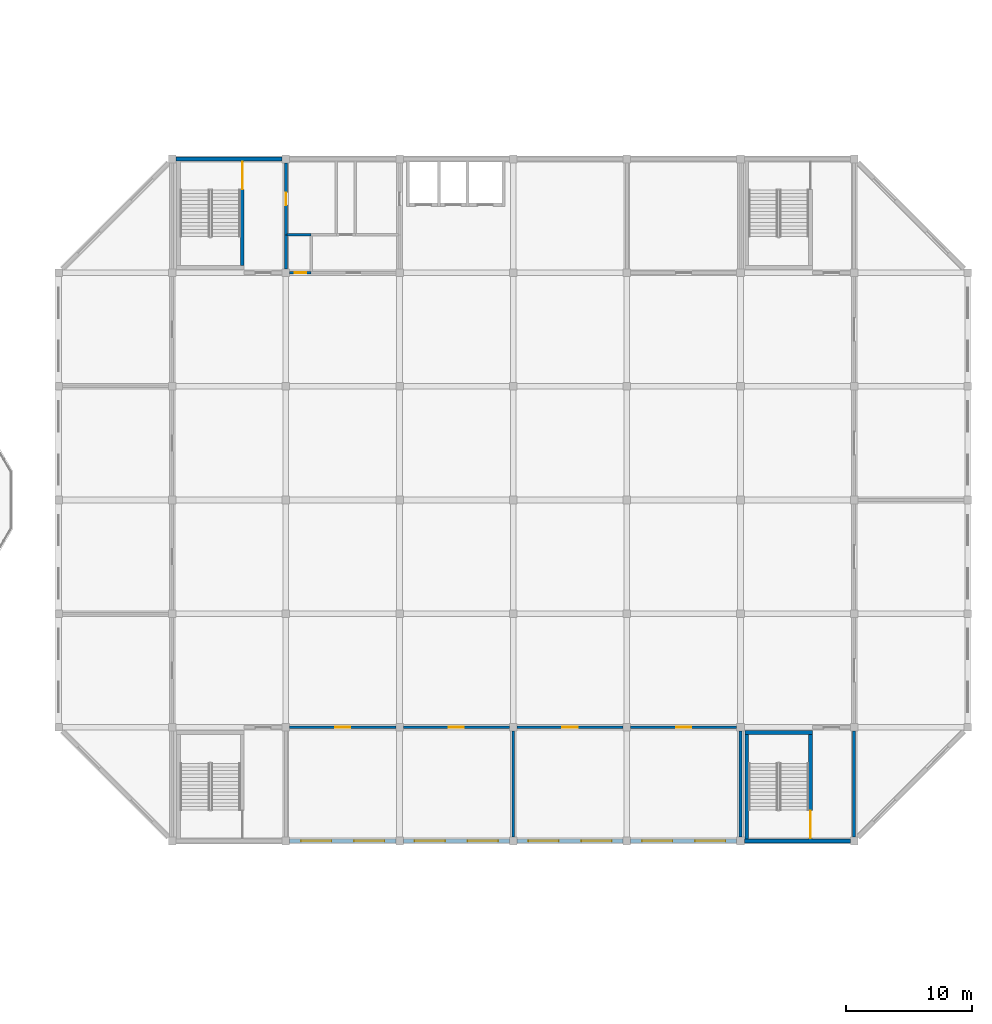
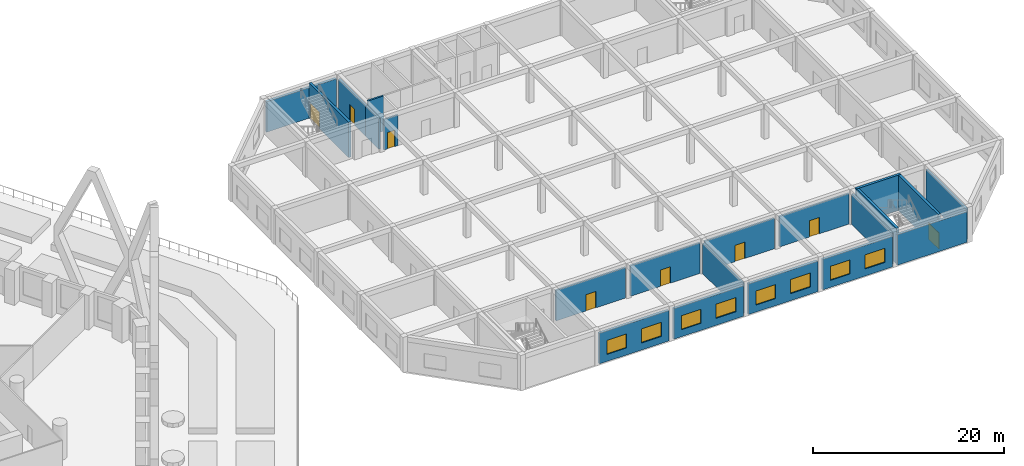
# One storey, part 14 of 27: 21 walls, 8 doors, 8 windows, 16 openings.
"""IFC4 building model written with IfcOpenShell, lengths in metres."""

from ifc_helpers import new_model, si_unit, direction, frame, frame_2d, origin, place, context, subcontext, project, spatial, rectangle, extrude, material, layer, layer_set, type_object, element, fill, save


model = new_model("IFC4")

# Units and contexts
model_context = context("Model", 3, precision=1e-05, world=origin(), true_north=direction((0.0, 1.0)))
body_context = subcontext(model_context, "Body", "Model", "MODEL_VIEW")
ifc_project = project(units=[si_unit("LENGTHUNIT", "METRE"), si_unit("AREAUNIT", "SQUARE_METRE"), si_unit("VOLUMEUNIT", "CUBIC_METRE"), si_unit("PLANEANGLEUNIT", "RADIAN"), si_unit("MASSUNIT", "GRAM", prefix="KILO")], contexts=[model_context])

# Site, building, storey
site_placement = place(None, origin())
site = spatial("IfcSite", under=ifc_project, at=site_placement, CompositionType="ELEMENT")
building_placement = place(site_placement, origin())
building = spatial("IfcBuilding", under=site, at=building_placement, Name="Dhurran Vertical Campus", CompositionType="ELEMENT")
storey_placement = place(building_placement, frame((0.0, 0.0, 10.800048828125)))
storey = spatial("IfcBuildingStorey", under=building, at=storey_placement, Name="L02", CompositionType="ELEMENT", Elevation=10.800048828125)

# Wall, openings, windows
ifc_material_1 = material(Name="Precast concrete C40/50", Category="concrete")
ifc_layer_1 = layer(ifc_material_1, 0.300048828125)
ifc_layer_set_1 = layer_set([ifc_layer_1], Name="Precast concrete C40/50")
wall_type_1 = type_object("IfcWallType", Name="hl-external wall precast 300", PredefinedType="SOLIDWALL", material=ifc_layer_set_1)
wall_1_placement = place(storey_placement, frame((79.800048828125, -27.0, 0.0), z_axis=(0.0, 0.0, 1.0), x_axis=(1.0, 0.0, 0.0)))
wall_1 = element("IfcWall", 1, at=wall_1_placement, inside=storey, type_object=wall_type_1, Name="Hall external wall L02-006", PredefinedType="SOLIDWALL", context=body_context, shape_type="SweptSolid", body=[
    extrude(rectangle(XDim=8.39990234375, YDim=0.300048828125, at=frame_2d((4.199951171875, 0.0))), origin(), (0.0, 0.0, 1.0), 3.89990234375),
])
opening_1_placement = place(wall_1_placement, frame((0.89990234375, 0.0, 0.89990234375)))
opening_1 = element("IfcOpeningElement", 2, at=opening_1_placement, cuts=wall_1, Name="Opening HWN1", PredefinedType="OPENING", context=body_context, shape_type="SweptSolid", body=[
    extrude(rectangle(XDim=2.39990234375, YDim=1.800048828125, at=frame_2d((1.199951171875, 0.89990234375))), frame((0.0, 0.159912109375, 0.0), z_axis=(0.0, -1.0, 0.0), x_axis=(1.0, 0.0, 0.0)), (0.0, 0.0, 1.0), 0.320068359375),
])
opening_2_placement = place(wall_1_placement, frame((5.10009765625, 0.0, 0.89990234375)))
opening_2 = element("IfcOpeningElement", 3, at=opening_2_placement, cuts=wall_1, Name="Opening HWN1", PredefinedType="OPENING", context=body_context, shape_type="SweptSolid", body=[
    extrude(rectangle(XDim=2.39990234375, YDim=1.800048828125, at=frame_2d((1.199951171875, 0.89990234375))), frame((0.0, 0.159912109375, 0.0), z_axis=(0.0, -1.0, 0.0), x_axis=(1.0, 0.0, 0.0)), (0.0, 0.0, 1.0), 0.320068359375),
])
ifc_material_2 = material(Name="Aluminium", Category="aluminium")
window_type = type_object("IfcWindowType", Name="hl-window 2400x1800", PartitioningType="SINGLE_PANEL", PredefinedType="WINDOW", material=ifc_material_2)
window_1_placement = place(opening_1_placement, origin())
window_1 = element("IfcWindow", 4, at=window_1_placement, inside=storey, type_object=window_type, Name="Hall window L02-035", OverallHeight=1.800048828125, OverallWidth=2.39990234375, PartitioningType="SINGLE_PANEL", PredefinedType="WINDOW", context=body_context, shape_type="SweptSolid", body=[
    extrude(rectangle(XDim=2.39990234375, YDim=1.800048828125, at=frame_2d((1.199951171875, 0.89990234375))), frame((0.0, 0.030029296875, 0.0), z_axis=(0.0, -1.0, 0.0), x_axis=(1.0, 0.0, 0.0)), (0.0, 0.0, 1.0), 0.06005859375),
])
fill(opening_1, window_1)
window_2_placement = place(opening_2_placement, origin())
window_2 = element("IfcWindow", 5, at=window_2_placement, inside=storey, type_object=window_type, Name="Hall window L02-036", OverallHeight=1.800048828125, OverallWidth=2.39990234375, PartitioningType="SINGLE_PANEL", PredefinedType="WINDOW", context=body_context, shape_type="SweptSolid", body=[
    extrude(rectangle(XDim=2.39990234375, YDim=1.800048828125, at=frame_2d((1.199951171875, 0.89990234375))), frame((0.0, 0.030029296875, 0.0), z_axis=(0.0, -1.0, 0.0), x_axis=(1.0, 0.0, 0.0)), (0.0, 0.0, 1.0), 0.06005859375),
])
fill(opening_2, window_2)

wall_2_placement = place(storey_placement, frame((88.800048828125, -27.0, 0.0), z_axis=(0.0, 0.0, 1.0), x_axis=(1.0, 0.0, 0.0)))
wall_2 = element("IfcWall", 6, at=wall_2_placement, inside=storey, type_object=wall_type_1, Name="Hall external wall L02-008", PredefinedType="SOLIDWALL", context=body_context, shape_type="SweptSolid", body=[
    extrude(rectangle(XDim=8.39990234375, YDim=0.300048828125, at=frame_2d((4.199951171875, 0.0))), origin(), (0.0, 0.0, 1.0), 3.89990234375),
])
opening_3_placement = place(wall_2_placement, frame((0.89990234375, 0.0, 0.89990234375)))
opening_3 = element("IfcOpeningElement", 7, at=opening_3_placement, cuts=wall_2, Name="Opening HWN1", PredefinedType="OPENING", context=body_context, shape_type="SweptSolid", body=[
    extrude(rectangle(XDim=2.39990234375, YDim=1.800048828125, at=frame_2d((1.199951171875, 0.89990234375))), frame((0.0, 0.159912109375, 0.0), z_axis=(0.0, -1.0, 0.0), x_axis=(1.0, 0.0, 0.0)), (0.0, 0.0, 1.0), 0.320068359375),
])
opening_4_placement = place(wall_2_placement, frame((5.10009765625, 0.0, 0.89990234375)))
opening_4 = element("IfcOpeningElement", 8, at=opening_4_placement, cuts=wall_2, Name="Opening HWN1", PredefinedType="OPENING", context=body_context, shape_type="SweptSolid", body=[
    extrude(rectangle(XDim=2.39990234375, YDim=1.800048828125, at=frame_2d((1.199951171875, 0.89990234375))), frame((0.0, 0.159912109375, 0.0), z_axis=(0.0, -1.0, 0.0), x_axis=(1.0, 0.0, 0.0)), (0.0, 0.0, 1.0), 0.320068359375),
])
window_3_placement = place(opening_3_placement, origin())
window_3 = element("IfcWindow", 9, at=window_3_placement, inside=storey, type_object=window_type, Name="Hall window L02-037", OverallHeight=1.800048828125, OverallWidth=2.39990234375, PartitioningType="SINGLE_PANEL", PredefinedType="WINDOW", context=body_context, shape_type="SweptSolid", body=[
    extrude(rectangle(XDim=2.39990234375, YDim=1.800048828125, at=frame_2d((1.199951171875, 0.89990234375))), frame((0.0, 0.030029296875, 0.0), z_axis=(0.0, -1.0, 0.0), x_axis=(1.0, 0.0, 0.0)), (0.0, 0.0, 1.0), 0.06005859375),
])
fill(opening_3, window_3)
window_4_placement = place(opening_4_placement, origin())
window_4 = element("IfcWindow", 10, at=window_4_placement, inside=storey, type_object=window_type, Name="Hall window L02-038", OverallHeight=1.800048828125, OverallWidth=2.39990234375, PartitioningType="SINGLE_PANEL", PredefinedType="WINDOW", context=body_context, shape_type="SweptSolid", body=[
    extrude(rectangle(XDim=2.39990234375, YDim=1.800048828125, at=frame_2d((1.199951171875, 0.89990234375))), frame((0.0, 0.030029296875, 0.0), z_axis=(0.0, -1.0, 0.0), x_axis=(1.0, 0.0, 0.0)), (0.0, 0.0, 1.0), 0.06005859375),
])
fill(opening_4, window_4)

wall_3_placement = place(storey_placement, frame((97.800048828125, -27.0, 0.0), z_axis=(0.0, 0.0, 1.0), x_axis=(1.0, 0.0, 0.0)))
wall_3 = element("IfcWall", 11, at=wall_3_placement, inside=storey, type_object=wall_type_1, Name="Hall external wall L02-010", PredefinedType="SOLIDWALL", context=body_context, shape_type="SweptSolid", body=[
    extrude(rectangle(XDim=8.39990234375, YDim=0.300048828125, at=frame_2d((4.199951171875, 0.0))), origin(), (0.0, 0.0, 1.0), 3.89990234375),
])
opening_5_placement = place(wall_3_placement, frame((0.89990234375, 0.0, 0.89990234375)))
opening_5 = element("IfcOpeningElement", 12, at=opening_5_placement, cuts=wall_3, Name="Opening HWN1", PredefinedType="OPENING", context=body_context, shape_type="SweptSolid", body=[
    extrude(rectangle(XDim=2.39990234375, YDim=1.800048828125, at=frame_2d((1.199951171875, 0.89990234375))), frame((0.0, 0.159912109375, 0.0), z_axis=(0.0, -1.0, 0.0), x_axis=(1.0, 0.0, 0.0)), (0.0, 0.0, 1.0), 0.320068359375),
])
opening_6_placement = place(wall_3_placement, frame((5.10009765625, 0.0, 0.89990234375)))
opening_6 = element("IfcOpeningElement", 13, at=opening_6_placement, cuts=wall_3, Name="Opening HWN1", PredefinedType="OPENING", context=body_context, shape_type="SweptSolid", body=[
    extrude(rectangle(XDim=2.39990234375, YDim=1.800048828125, at=frame_2d((1.199951171875, 0.89990234375))), frame((0.0, 0.159912109375, 0.0), z_axis=(0.0, -1.0, 0.0), x_axis=(1.0, 0.0, 0.0)), (0.0, 0.0, 1.0), 0.320068359375),
])
window_5_placement = place(opening_5_placement, origin())
window_5 = element("IfcWindow", 14, at=window_5_placement, inside=storey, type_object=window_type, Name="Hall window L02-039", OverallHeight=1.800048828125, OverallWidth=2.39990234375, PartitioningType="SINGLE_PANEL", PredefinedType="WINDOW", context=body_context, shape_type="SweptSolid", body=[
    extrude(rectangle(XDim=2.39990234375, YDim=1.800048828125, at=frame_2d((1.199951171875, 0.89990234375))), frame((0.0, 0.030029296875, 0.0), z_axis=(0.0, -1.0, 0.0), x_axis=(1.0, 0.0, 0.0)), (0.0, 0.0, 1.0), 0.06005859375),
])
fill(opening_5, window_5)
window_6_placement = place(opening_6_placement, origin())
window_6 = element("IfcWindow", 15, at=window_6_placement, inside=storey, type_object=window_type, Name="Hall window L02-040", OverallHeight=1.800048828125, OverallWidth=2.39990234375, PartitioningType="SINGLE_PANEL", PredefinedType="WINDOW", context=body_context, shape_type="SweptSolid", body=[
    extrude(rectangle(XDim=2.39990234375, YDim=1.800048828125, at=frame_2d((1.199951171875, 0.89990234375))), frame((0.0, 0.030029296875, 0.0), z_axis=(0.0, -1.0, 0.0), x_axis=(1.0, 0.0, 0.0)), (0.0, 0.0, 1.0), 0.06005859375),
])
fill(opening_6, window_6)

wall_4_placement = place(storey_placement, frame((106.800048828125, -27.0, 0.0), z_axis=(0.0, 0.0, 1.0), x_axis=(1.0, 0.0, 0.0)))
wall_4 = element("IfcWall", 16, at=wall_4_placement, inside=storey, type_object=wall_type_1, Name="Hall external wall L02-012", PredefinedType="SOLIDWALL", context=body_context, shape_type="SweptSolid", body=[
    extrude(rectangle(XDim=8.39990234375, YDim=0.300048828125, at=frame_2d((4.199951171875, 0.0))), origin(), (0.0, 0.0, 1.0), 3.89990234375),
])
opening_7_placement = place(wall_4_placement, frame((0.89990234375, 0.0, 0.89990234375)))
opening_7 = element("IfcOpeningElement", 17, at=opening_7_placement, cuts=wall_4, Name="Opening HWN1", PredefinedType="OPENING", context=body_context, shape_type="SweptSolid", body=[
    extrude(rectangle(XDim=2.39990234375, YDim=1.800048828125, at=frame_2d((1.199951171875, 0.89990234375))), frame((0.0, 0.159912109375, 0.0), z_axis=(0.0, -1.0, 0.0), x_axis=(1.0, 0.0, 0.0)), (0.0, 0.0, 1.0), 0.320068359375),
])
opening_8_placement = place(wall_4_placement, frame((5.10009765625, 0.0, 0.89990234375)))
opening_8 = element("IfcOpeningElement", 18, at=opening_8_placement, cuts=wall_4, Name="Opening HWN1", PredefinedType="OPENING", context=body_context, shape_type="SweptSolid", body=[
    extrude(rectangle(XDim=2.39990234375, YDim=1.800048828125, at=frame_2d((1.199951171875, 0.89990234375))), frame((0.0, 0.159912109375, 0.0), z_axis=(0.0, -1.0, 0.0), x_axis=(1.0, 0.0, 0.0)), (0.0, 0.0, 1.0), 0.320068359375),
])
window_7_placement = place(opening_7_placement, origin())
window_7 = element("IfcWindow", 19, at=window_7_placement, inside=storey, type_object=window_type, Name="Hall window L02-041", OverallHeight=1.800048828125, OverallWidth=2.39990234375, PartitioningType="SINGLE_PANEL", PredefinedType="WINDOW", context=body_context, shape_type="SweptSolid", body=[
    extrude(rectangle(XDim=2.39990234375, YDim=1.800048828125, at=frame_2d((1.199951171875, 0.89990234375))), frame((0.0, 0.030029296875, 0.0), z_axis=(0.0, -1.0, 0.0), x_axis=(1.0, 0.0, 0.0)), (0.0, 0.0, 1.0), 0.06005859375),
])
fill(opening_7, window_7)
window_8_placement = place(opening_8_placement, origin())
window_8 = element("IfcWindow", 20, at=window_8_placement, inside=storey, type_object=window_type, Name="Hall window L02-042", OverallHeight=1.800048828125, OverallWidth=2.39990234375, PartitioningType="SINGLE_PANEL", PredefinedType="WINDOW", context=body_context, shape_type="SweptSolid", body=[
    extrude(rectangle(XDim=2.39990234375, YDim=1.800048828125, at=frame_2d((1.199951171875, 0.89990234375))), frame((0.0, 0.030029296875, 0.0), z_axis=(0.0, -1.0, 0.0), x_axis=(1.0, 0.0, 0.0)), (0.0, 0.0, 1.0), 0.06005859375),
])
fill(opening_8, window_8)

# Walls
ifc_material_3 = material(Name="Precast concrete C40/50", Category="concrete")
ifc_layer_2 = layer(ifc_material_3, 0.300048828125)
ifc_layer_set_2 = layer_set([ifc_layer_2], Name="Precast concrete C40/50")
wall_type_2 = type_object("IfcWallType", Name="hl-external wall precast 300 EI 120", PredefinedType="SOLIDWALL", material=ifc_layer_set_2)
for number, where, z_axis, x_axis, name in (
    (21, (115.800048828125, -27.0, 0.0), (0.0, 0.0, 1.0), (1.0, 0.0, 0.0), "Hall external wall L02-014"),
    (22, (79.199951171875, 27.0, 0.0), (0.0, 0.0, 1.0), (-1.0, 0.0, 0.0), "Hall external wall L02-038"),
):
    element("IfcWall", number, at=place(storey_placement, frame(where, z_axis=z_axis, x_axis=x_axis)), inside=storey, type_object=wall_type_2, Name=name, PredefinedType="SOLIDWALL", context=body_context, shape_type="SweptSolid", body=[
        extrude(rectangle(XDim=8.39990234375, YDim=0.300048828125, at=frame_2d((4.199951171875, 0.0))), origin(), (0.0, 0.0, 1.0), 3.89990234375),
    ])

# Wall, opening, door
ifc_material_4 = material(Name="Masonry blockwork", Category="masonry")
ifc_layer_3 = layer(ifc_material_4, 0.199951171875)
ifc_layer_set_3 = layer_set([ifc_layer_3], Name="Masonry blockwork")
wall_type_3 = type_object("IfcWallType", Name="hl-partition blockwork 200 EI 60", PredefinedType="PARTITIONING", material=ifc_layer_set_3)
wall_5_placement = place(storey_placement, frame((79.800048828125, -18.0, 0.0), z_axis=(0.0, 0.0, 1.0), x_axis=(1.0, 0.0, 0.0)))
wall_5 = element("IfcWall", 23, at=wall_5_placement, inside=storey, type_object=wall_type_3, Name="Hall partition L02-012", PredefinedType="PARTITIONING", context=body_context, shape_type="SweptSolid", body=[
    extrude(rectangle(XDim=8.39990234375, YDim=0.199951171875, at=frame_2d((4.199951171875, 0.0))), origin(), (0.0, 0.0, 1.0), 3.89990234375),
])
opening_9_placement = place(wall_5_placement, frame((3.60009765625, 0.0, 0.0)))
opening_9 = element("IfcOpeningElement", 24, at=opening_9_placement, cuts=wall_5, Name="Opening HD205", PredefinedType="OPENING", context=body_context, shape_type="SweptSolid", body=[
    extrude(rectangle(XDim=1.199951171875, YDim=2.10009765625, at=frame_2d((0.60009765625, 1.050048828125))), frame((0.0, 0.10986328125, 0.0), z_axis=(0.0, -1.0, 0.0), x_axis=(1.0, 0.0, 0.0)), (0.0, 0.0, 1.0), 0.219970703125),
])
ifc_material_5 = material(Name="Fire-rated steel door set", Category="steel")
door_type_1 = type_object("IfcDoorType", Name="hl-door 1200x2100 single FD30S", OperationType="NOTDEFINED", PredefinedType="DOOR", material=ifc_material_5)
door_1_placement = place(opening_9_placement, origin())
door_1 = element("IfcDoor", 25, at=door_1_placement, inside=storey, type_object=door_type_1, Name="Door HD205", OperationType="SINGLE_SWING_LEFT", OverallHeight=2.10009765625, OverallWidth=1.199951171875, PredefinedType="DOOR", context=body_context, shape_type="SweptSolid", body=[
    extrude(rectangle(XDim=1.199951171875, YDim=2.10009765625, at=frame_2d((0.60009765625, 1.050048828125))), frame((0.0, 0.02490234375, 0.0), z_axis=(0.0, -1.0, 0.0), x_axis=(1.0, 0.0, 0.0)), (0.0, 0.0, 1.0), 0.050048828125),
])
fill(opening_9, door_1)

wall_6_placement = place(storey_placement, frame((88.800048828125, -18.0, 0.0), z_axis=(0.0, 0.0, 1.0), x_axis=(1.0, 0.0, 0.0)))
wall_6 = element("IfcWall", 26, at=wall_6_placement, inside=storey, type_object=wall_type_3, Name="Hall partition L02-013", PredefinedType="PARTITIONING", context=body_context, shape_type="SweptSolid", body=[
    extrude(rectangle(XDim=8.39990234375, YDim=0.199951171875, at=frame_2d((4.199951171875, 0.0))), origin(), (0.0, 0.0, 1.0), 3.89990234375),
])
opening_10_placement = place(wall_6_placement, frame((3.60009765625, 0.0, 0.0)))
opening_10 = element("IfcOpeningElement", 27, at=opening_10_placement, cuts=wall_6, Name="Opening HD206", PredefinedType="OPENING", context=body_context, shape_type="SweptSolid", body=[
    extrude(rectangle(XDim=1.199951171875, YDim=2.10009765625, at=frame_2d((0.60009765625, 1.050048828125))), frame((0.0, 0.10986328125, 0.0), z_axis=(0.0, -1.0, 0.0), x_axis=(1.0, 0.0, 0.0)), (0.0, 0.0, 1.0), 0.219970703125),
])
door_2_placement = place(opening_10_placement, origin())
door_2 = element("IfcDoor", 28, at=door_2_placement, inside=storey, type_object=door_type_1, Name="Door HD206", OperationType="SINGLE_SWING_RIGHT", OverallHeight=2.10009765625, OverallWidth=1.199951171875, PredefinedType="DOOR", context=body_context, shape_type="SweptSolid", body=[
    extrude(rectangle(XDim=1.199951171875, YDim=2.10009765625, at=frame_2d((0.60009765625, 1.050048828125))), frame((0.0, 0.02490234375, 0.0), z_axis=(0.0, -1.0, 0.0), x_axis=(1.0, 0.0, 0.0)), (0.0, 0.0, 1.0), 0.050048828125),
])
fill(opening_10, door_2)

wall_7_placement = place(storey_placement, frame((79.800048828125, 18.0, 0.0), z_axis=(0.0, 0.0, 1.0), x_axis=(1.0, 0.0, 0.0)))
wall_7 = element("IfcWall", 29, at=wall_7_placement, inside=storey, type_object=wall_type_3, Name="Hall partition L02-015", PredefinedType="PARTITIONING", context=body_context, shape_type="SweptSolid", body=[
    extrude(rectangle(XDim=1.699951171875, YDim=0.199951171875, at=frame_2d((0.85009765625, 0.0))), origin(), (0.0, 0.0, 1.0), 3.89990234375),
])
opening_11_placement = place(wall_7_placement, frame((0.39990234375, 0.0, 0.0)))
opening_11 = element("IfcOpeningElement", 30, at=opening_11_placement, cuts=wall_7, Name="Opening HD218", PredefinedType="OPENING", context=body_context, shape_type="SweptSolid", body=[
    extrude(rectangle(XDim=0.89990234375, YDim=2.10009765625, at=frame_2d((0.449951171875, 1.050048828125))), frame((0.0, 0.10986328125, 0.0), z_axis=(0.0, -1.0, 0.0), x_axis=(1.0, 0.0, 0.0)), (0.0, 0.0, 1.0), 0.219970703125),
])
ifc_material_6 = material(Name="Fire-rated steel door set", Category="steel")
door_type_2 = type_object("IfcDoorType", Name="hl-door 900x2100 single FD30S", OperationType="NOTDEFINED", PredefinedType="DOOR", material=ifc_material_6)
door_3_placement = place(opening_11_placement, origin())
door_3 = element("IfcDoor", 31, at=door_3_placement, inside=storey, type_object=door_type_2, Name="Door HD218", OperationType="SINGLE_SWING_RIGHT", OverallHeight=2.10009765625, OverallWidth=0.89990234375, PredefinedType="DOOR", context=body_context, shape_type="SweptSolid", body=[
    extrude(rectangle(XDim=0.89990234375, YDim=2.10009765625, at=frame_2d((0.449951171875, 1.050048828125))), frame((0.0, 0.02490234375, 0.0), z_axis=(0.0, -1.0, 0.0), x_axis=(1.0, 0.0, 0.0)), (0.0, 0.0, 1.0), 0.050048828125),
])
fill(opening_11, door_3)

# Walls
wall_8_placement = place(storey_placement, frame((79.60009765625, 21.0, 0.0), z_axis=(0.0, 0.0, 1.0), x_axis=(1.0, 0.0, 0.0)))
element("IfcWall", 32, at=wall_8_placement, inside=storey, type_object=wall_type_3, Name="Hall partition L02-017", PredefinedType="PARTITIONING", context=body_context, shape_type="SweptSolid", body=[
    extrude(rectangle(XDim=1.89990234375, YDim=0.199951171875, at=frame_2d((0.949951171875, 0.0))), origin(), (0.0, 0.0, 1.0), 4.52001953125),
])
wall_9_placement = place(storey_placement, frame((97.5, -26.699951171875, 0.0), z_axis=(0.0, 0.0, 1.0), x_axis=(0.0, 1.0, 0.0)))
element("IfcWall", 33, at=wall_9_placement, inside=storey, type_object=wall_type_3, Name="Hall partition L02-027", PredefinedType="PARTITIONING", context=body_context, shape_type="SweptSolid", body=[
    extrude(rectangle(XDim=8.39990234375, YDim=0.199951171875, at=frame_2d((4.199951171875, 0.0))), origin(), (0.0, 0.0, 1.0), 3.89990234375),
])

# Wall, opening, door
wall_10_placement = place(storey_placement, frame((97.800048828125, -18.0, 0.0), z_axis=(0.0, 0.0, 1.0), x_axis=(1.0, 0.0, 0.0)))
wall_10 = element("IfcWall", 34, at=wall_10_placement, inside=storey, type_object=wall_type_3, Name="Hall partition L02-028", PredefinedType="PARTITIONING", context=body_context, shape_type="SweptSolid", body=[
    extrude(rectangle(XDim=8.39990234375, YDim=0.199951171875, at=frame_2d((4.199951171875, 0.0))), origin(), (0.0, 0.0, 1.0), 3.89990234375),
])
opening_12_placement = place(wall_10_placement, frame((3.60009765625, 0.0, 0.0)))
opening_12 = element("IfcOpeningElement", 35, at=opening_12_placement, cuts=wall_10, Name="Opening HD207", PredefinedType="OPENING", context=body_context, shape_type="SweptSolid", body=[
    extrude(rectangle(XDim=1.199951171875, YDim=2.10009765625, at=frame_2d((0.60009765625, 1.050048828125))), frame((0.0, 0.10986328125, 0.0), z_axis=(0.0, -1.0, 0.0), x_axis=(1.0, 0.0, 0.0)), (0.0, 0.0, 1.0), 0.219970703125),
])
door_4_placement = place(opening_12_placement, origin())
door_4 = element("IfcDoor", 36, at=door_4_placement, inside=storey, type_object=door_type_1, Name="Door HD207", OperationType="SINGLE_SWING_LEFT", OverallHeight=2.10009765625, OverallWidth=1.199951171875, PredefinedType="DOOR", context=body_context, shape_type="SweptSolid", body=[
    extrude(rectangle(XDim=1.199951171875, YDim=2.10009765625, at=frame_2d((0.60009765625, 1.050048828125))), frame((0.0, 0.02490234375, 0.0), z_axis=(0.0, -1.0, 0.0), x_axis=(1.0, 0.0, 0.0)), (0.0, 0.0, 1.0), 0.050048828125),
])
fill(opening_12, door_4)

wall_11_placement = place(storey_placement, frame((106.800048828125, -18.0, 0.0), z_axis=(0.0, 0.0, 1.0), x_axis=(1.0, 0.0, 0.0)))
wall_11 = element("IfcWall", 37, at=wall_11_placement, inside=storey, type_object=wall_type_3, Name="Hall partition L02-029", PredefinedType="PARTITIONING", context=body_context, shape_type="SweptSolid", body=[
    extrude(rectangle(XDim=8.39990234375, YDim=0.199951171875, at=frame_2d((4.199951171875, 0.0))), origin(), (0.0, 0.0, 1.0), 3.89990234375),
])
opening_13_placement = place(wall_11_placement, frame((3.60009765625, 0.0, 0.0)))
opening_13 = element("IfcOpeningElement", 38, at=opening_13_placement, cuts=wall_11, Name="Opening HD208", PredefinedType="OPENING", context=body_context, shape_type="SweptSolid", body=[
    extrude(rectangle(XDim=1.199951171875, YDim=2.10009765625, at=frame_2d((0.60009765625, 1.050048828125))), frame((0.0, 0.10986328125, 0.0), z_axis=(0.0, -1.0, 0.0), x_axis=(1.0, 0.0, 0.0)), (0.0, 0.0, 1.0), 0.219970703125),
])
door_5_placement = place(opening_13_placement, origin())
door_5 = element("IfcDoor", 39, at=door_5_placement, inside=storey, type_object=door_type_1, Name="Door HD208", OperationType="SINGLE_SWING_RIGHT", OverallHeight=2.10009765625, OverallWidth=1.199951171875, PredefinedType="DOOR", context=body_context, shape_type="SweptSolid", body=[
    extrude(rectangle(XDim=1.199951171875, YDim=2.10009765625, at=frame_2d((0.60009765625, 1.050048828125))), frame((0.0, 0.02490234375, 0.0), z_axis=(0.0, -1.0, 0.0), x_axis=(1.0, 0.0, 0.0)), (0.0, 0.0, 1.0), 0.050048828125),
])
fill(opening_13, door_5)

# Walls
wall_12_placement = place(storey_placement, frame((115.5, -26.699951171875, 0.0), z_axis=(0.0, 0.0, 1.0), x_axis=(0.0, 1.0, 0.0)))
element("IfcWall", 40, at=wall_12_placement, inside=storey, type_object=wall_type_3, Name="Hall partition L02-032", PredefinedType="PARTITIONING", context=body_context, shape_type="SweptSolid", body=[
    extrude(rectangle(XDim=8.39990234375, YDim=0.199951171875, at=frame_2d((4.199951171875, 0.0))), origin(), (0.0, 0.0, 1.0), 3.89990234375),
])
ifc_material_7 = material(Name="Masonry blockwork", Category="masonry")
ifc_layer_4 = layer(ifc_material_7, 0.25)
ifc_layer_set_4 = layer_set([ifc_layer_4], Name="Masonry blockwork")
wall_type_4 = type_object("IfcWallType", Name="hl-partition blockwork 250 EI 120", PredefinedType="PARTITIONING", material=ifc_layer_set_4)
wall_13_placement = place(storey_placement, frame((79.5, 18.300048828125, 0.0), z_axis=(0.0, 0.0, 1.0), x_axis=(0.0, 1.0, 0.0)))
element("IfcWall", 41, at=wall_13_placement, inside=storey, type_object=wall_type_4, Name="Hall partition L02-014", PredefinedType="PARTITIONING", context=body_context, shape_type="SweptSolid", body=[
    extrude(rectangle(XDim=2.699951171875, YDim=0.25, at=frame_2d((1.35009765625, 0.0))), origin(), (0.0, 0.0, 1.0), 3.89990234375),
])

# Wall, opening, door
wall_14_placement = place(storey_placement, frame((79.5, 21.0, 0.0), z_axis=(0.0, 0.0, 1.0), x_axis=(0.0, 1.0, 0.0)))
wall_14 = element("IfcWall", 42, at=wall_14_placement, inside=storey, type_object=wall_type_4, Name="Hall partition L02-016", PredefinedType="PARTITIONING", context=body_context, shape_type="SweptSolid", body=[
    extrude(rectangle(XDim=5.699951171875, YDim=0.25, at=frame_2d((2.85009765625, 0.0))), origin(), (0.0, 0.0, 1.0), 3.89990234375),
])
opening_14_placement = place(wall_14_placement, frame((2.35009765625, 0.0, 0.0)))
opening_14 = element("IfcOpeningElement", 43, at=opening_14_placement, cuts=wall_14, Name="Opening HD219", PredefinedType="OPENING", context=body_context, shape_type="SweptSolid", body=[
    extrude(rectangle(XDim=1.0, YDim=2.10009765625, at=frame_2d((0.5, 1.050048828125))), frame((0.0, 0.135009765625, 0.0), z_axis=(0.0, -1.0, 0.0), x_axis=(1.0, 0.0, 0.0)), (0.0, 0.0, 1.0), 0.27001953125),
])
ifc_material_8 = material(Name="Fire-rated steel door set", Category="steel")
door_type_3 = type_object("IfcDoorType", Name="hl-door 1000x2100 single FD90", OperationType="NOTDEFINED", PredefinedType="DOOR", material=ifc_material_8)
door_6_placement = place(opening_14_placement, origin())
door_6 = element("IfcDoor", 44, at=door_6_placement, inside=storey, type_object=door_type_3, Name="Door HD219", OperationType="SINGLE_SWING_LEFT", OverallHeight=2.10009765625, OverallWidth=1.0, PredefinedType="DOOR", context=body_context, shape_type="SweptSolid", body=[
    extrude(rectangle(XDim=1.0, YDim=2.10009765625, at=frame_2d((0.5, 1.050048828125))), frame((0.0, 0.02490234375, 0.0), z_axis=(0.0, -1.0, 0.0), x_axis=(1.0, 0.0, 0.0)), (0.0, 0.0, 1.0), 0.050048828125),
])
fill(opening_14, door_6)

# Wall
wall_15_placement = place(storey_placement, frame((124.5, -26.699951171875, 0.0), z_axis=(0.0, 0.0, 1.0), x_axis=(0.0, 1.0, 0.0)))
element("IfcWall", 45, at=wall_15_placement, inside=storey, type_object=wall_type_4, Name="Hall partition L02-036", PredefinedType="PARTITIONING", context=body_context, shape_type="SweptSolid", body=[
    extrude(rectangle(XDim=8.39990234375, YDim=0.25, at=frame_2d((4.199951171875, 0.0))), origin(), (0.0, 0.0, 1.0), 3.89990234375),
])

# Wall, opening, door
ifc_material_9 = material(Name="Concrete C40/50", Category="concrete")
ifc_layer_5 = layer(ifc_material_9, 0.300048828125)
ifc_layer_set_5 = layer_set([ifc_layer_5], Name="Concrete C40/50")
wall_type_5 = type_object("IfcWallType", Name="hl-stair shaft wall 300", PredefinedType="SHEAR", material=ifc_layer_set_5)
wall_16_placement = place(storey_placement, frame((76.050048828125, 26.85009765625, 0.0), z_axis=(0.0, 0.0, 1.0), x_axis=(0.0, -1.0, 0.0)))
wall_16 = element("IfcWall", 46, at=wall_16_placement, inside=storey, type_object=wall_type_5, Name="Stair shaft wall HST3 E L02", PredefinedType="SHEAR", context=body_context, shape_type="SweptSolid", body=[
    extrude(rectangle(XDim=8.300048828125, YDim=0.300048828125, at=frame_2d((4.14990234375, 0.0))), origin(), (0.0, 0.0, 1.0), 4.52001953125),
])
opening_15_placement = place(wall_16_placement, frame((0.050048828125, 0.0, 0.0)))
opening_15 = element("IfcOpeningElement", 47, at=opening_15_placement, cuts=wall_16, Name="Opening HDS23", PredefinedType="OPENING", context=body_context, shape_type="SweptSolid", body=[
    extrude(rectangle(XDim=2.199951171875, YDim=2.10009765625, at=frame_2d((1.10009765625, 1.050048828125))), frame((0.0, 0.159912109375, 0.0), z_axis=(0.0, -1.0, 0.0), x_axis=(1.0, 0.0, 0.0)), (0.0, 0.0, 1.0), 0.320068359375),
])
ifc_material_10 = material(Name="Fire-rated steel door set", Category="steel")
door_type_4 = type_object("IfcDoorType", Name="hl-door 2200x2100 double FD90", OperationType="NOTDEFINED", PredefinedType="DOOR", material=ifc_material_10)
door_7_placement = place(opening_15_placement, origin())
door_7 = element("IfcDoor", 48, at=door_7_placement, inside=storey, type_object=door_type_4, Name="Door HDS23", OperationType="DOUBLE_DOOR_SINGLE_SWING", OverallHeight=2.10009765625, OverallWidth=2.199951171875, PredefinedType="DOOR", context=body_context, shape_type="SweptSolid", body=[
    extrude(rectangle(XDim=2.199951171875, YDim=2.10009765625, at=frame_2d((1.10009765625, 1.050048828125))), frame((0.0, 0.02490234375, 0.0), z_axis=(0.0, -1.0, 0.0), x_axis=(1.0, 0.0, 0.0)), (0.0, 0.0, 1.0), 0.050048828125),
])
fill(opening_15, door_7)

# Wall
wall_17_placement = place(storey_placement, frame((116.0, -26.85009765625, 0.0), z_axis=(0.0, 0.0, 1.0), x_axis=(0.0, 1.0, 0.0)))
element("IfcWall", 49, at=wall_17_placement, inside=storey, type_object=wall_type_5, Name="Stair shaft wall HST4 W L02", PredefinedType="SHEAR", context=body_context, shape_type="SweptSolid", body=[
    extrude(rectangle(XDim=8.300048828125, YDim=0.300048828125, at=frame_2d((4.14990234375, 0.0))), origin(), (0.0, 0.0, 1.0), 4.52001953125),
])

# Wall, opening, door
wall_18_placement = place(storey_placement, frame((121.050048828125, -26.85009765625, 0.0), z_axis=(0.0, 0.0, 1.0), x_axis=(0.0, 1.0, 0.0)))
wall_18 = element("IfcWall", 50, at=wall_18_placement, inside=storey, type_object=wall_type_5, Name="Stair shaft wall HST4 E L02", PredefinedType="SHEAR", context=body_context, shape_type="SweptSolid", body=[
    extrude(rectangle(XDim=8.300048828125, YDim=0.300048828125, at=frame_2d((4.14990234375, 0.0))), origin(), (0.0, 0.0, 1.0), 4.52001953125),
])
opening_16_placement = place(wall_18_placement, frame((0.050048828125, 0.0, 0.0)))
opening_16 = element("IfcOpeningElement", 51, at=opening_16_placement, cuts=wall_18, Name="Opening HDS24", PredefinedType="OPENING", context=body_context, shape_type="SweptSolid", body=[
    extrude(rectangle(XDim=2.199951171875, YDim=2.10009765625, at=frame_2d((1.10009765625, 1.050048828125))), frame((0.0, 0.159912109375, 0.0), z_axis=(0.0, -1.0, 0.0), x_axis=(1.0, 0.0, 0.0)), (0.0, 0.0, 1.0), 0.320068359375),
])
door_8_placement = place(opening_16_placement, origin())
door_8 = element("IfcDoor", 52, at=door_8_placement, inside=storey, type_object=door_type_4, Name="Door HDS24", OperationType="DOUBLE_DOOR_SINGLE_SWING", OverallHeight=2.10009765625, OverallWidth=2.199951171875, PredefinedType="DOOR", context=body_context, shape_type="SweptSolid", body=[
    extrude(rectangle(XDim=2.199951171875, YDim=2.10009765625, at=frame_2d((1.10009765625, 1.050048828125))), frame((0.0, 0.02490234375, 0.0), z_axis=(0.0, -1.0, 0.0), x_axis=(1.0, 0.0, 0.0)), (0.0, 0.0, 1.0), 0.050048828125),
])
fill(opening_16, door_8)

# Wall
wall_19_placement = place(storey_placement, frame((115.85009765625, -18.39990234375, 0.0), z_axis=(0.0, 0.0, 1.0), x_axis=(1.0, 0.0, 0.0)))
element("IfcWall", 53, at=wall_19_placement, inside=storey, type_object=wall_type_5, Name="Stair shaft wall HST4 F L02", PredefinedType="SHEAR", context=body_context, shape_type="SweptSolid", body=[
    extrude(rectangle(XDim=5.349853515625, YDim=0.300048828125, at=frame_2d((2.6748046875, 0.0))), origin(), (0.0, 0.0, 1.0), 4.52001953125),
])

save(model, "model.ifc")
